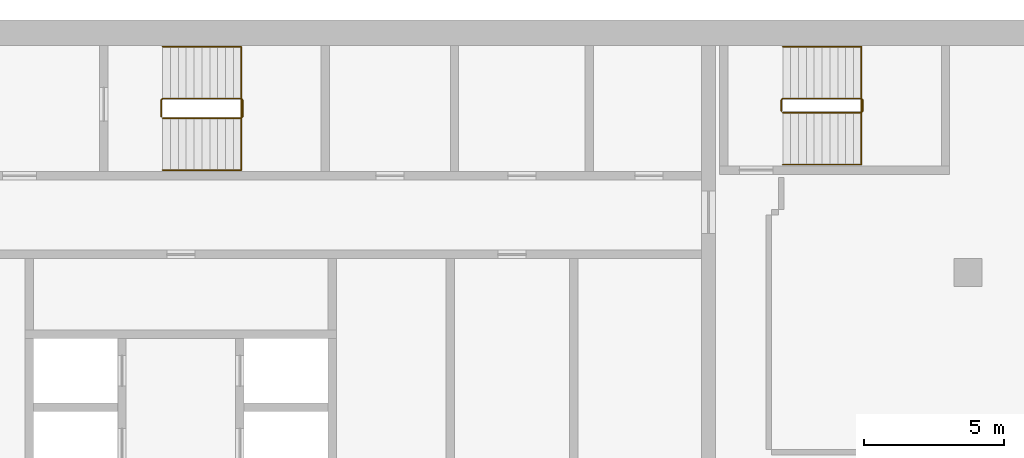
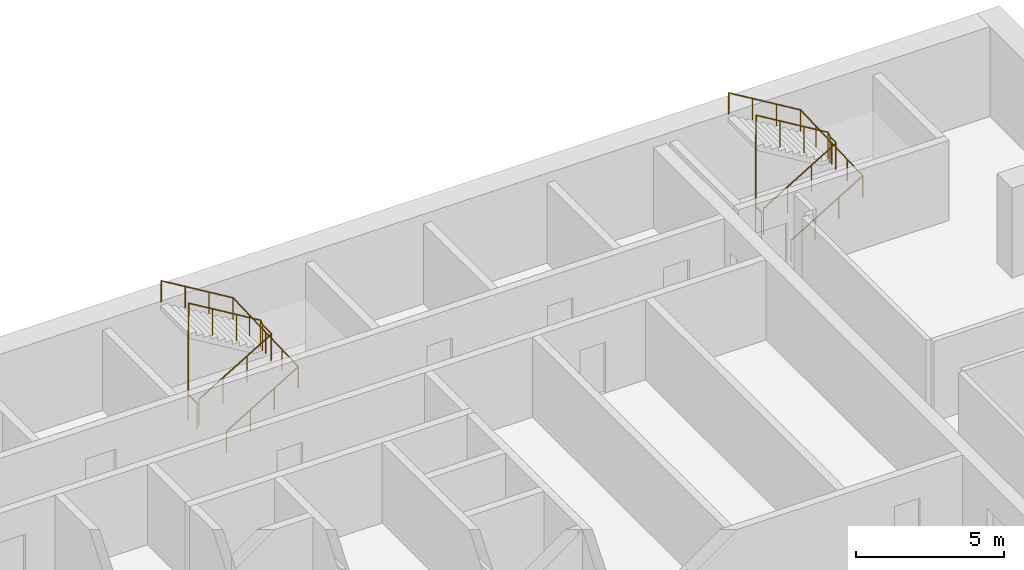
# One storey, part 16 of 16: 4 railings.
"""IFC4 building model written with IfcOpenShell, lengths in metres."""

from ifc_helpers import new_model, si_unit, direction, frame, origin, origin_2d, place, context, subcontext, project, spatial, circle, extrude, material, type_object, element, save


model = new_model("IFC4")

# Units and contexts
model_context = context("Model", 3, precision=1e-05, world=origin(), true_north=direction((0.0, 1.0)))
body_context = subcontext(model_context, "Body", "Model", "MODEL_VIEW")
ifc_project = project(units=[si_unit("LENGTHUNIT", "METRE"), si_unit("AREAUNIT", "SQUARE_METRE"), si_unit("VOLUMEUNIT", "CUBIC_METRE"), si_unit("PLANEANGLEUNIT", "RADIAN"), si_unit("MASSUNIT", "GRAM", prefix="KILO")], contexts=[model_context])

# Site, building, storey
site_placement = place(None, origin())
site = spatial("IfcSite", under=ifc_project, at=site_placement, CompositionType="ELEMENT")
building_placement = place(site_placement, origin())
building = spatial("IfcBuilding", under=site, at=building_placement, Name="Hunhe Ridgeline Campus", CompositionType="ELEMENT")
storey_placement = place(building_placement, frame((0.0, 0.0, 246.60009765625)))
storey = spatial("IfcBuildingStorey", under=building, at=storey_placement, Name="L63", CompositionType="ELEMENT", Elevation=246.60009765625)

# Railings
ifc_material_1 = material(Name="Stainless steel balustrade", Category="steel")
railing_type_1 = type_object("IfcRailingType", Name="Stair guard 1100 stainless", PredefinedType="GUARDRAIL", material=ifc_material_1)
railing_1_placement = place(storey_placement, frame((16.300048828125, 95.5, 0.16796875)))
element("IfcRailing", 1, at=railing_1_placement, inside=storey, type_object=railing_type_1, Name="L63 stair S1 guard", PredefinedType="GUARDRAIL", context=body_context, shape_type="SweptSolid", body=[
    extrude(circle(Radius=0.02392578125, at=origin_2d()), frame((0.0, 0.0, 1.076171875), z_axis=(0.857242210791, 0.0, 0.514913383045), x_axis=(0.0, 1.0, 0.0)), (0.0, 0.0, 1.0), 3.266357421875),
    extrude(circle(Radius=0.02392578125, at=origin_2d()), frame((2.800048828125, 0.0, 2.7578125), z_axis=(0.705375805398, 0.708833529934, 0.0), x_axis=(-0.708833529934, 0.705375805398, 0.0)), (0.0, 0.0, 1.0), 0.070556640625),
    extrude(circle(Radius=0.02392578125, at=origin_2d()), frame((2.849853515625, 0.050048828125, 2.7578125), z_axis=(0.0, 1.0, 0.0), x_axis=(-1.0, 0.0, 0.0)), (0.0, 0.0, 1.0), 0.599853515625),
    extrude(circle(Radius=0.02392578125, at=origin_2d()), frame((2.849853515625, 0.64990234375, 2.7578125), z_axis=(-0.273006030465, 0.27434429532, 0.922064485248), x_axis=(-0.708833529934, -0.705375805398, 0.0)), (0.0, 0.0, 1.0), 0.182373046875),
    extrude(circle(Radius=0.02392578125, at=origin_2d()), frame((2.800048828125, 0.699951171875, 2.92626953125), z_axis=(-0.857242210791, 0.0, 0.514913383045), x_axis=(0.0, -1.0, 0.0)), (0.0, 0.0, 1.0), 3.266357421875),
    extrude(circle(Radius=0.02392578125, at=origin_2d()), frame((0.0, 0.699951171875, 4.60791015625), z_axis=(-0.013524414389, -0.013524414389, -0.999817073484), x_axis=(0.707106781187, -0.707106781187, 0.0)), (0.0, 0.0, 1.0), 3.70068359375),
    extrude(circle(Radius=0.02392578125, at=origin_2d()), frame((-0.050048828125, 0.64990234375, 0.908203125), z_axis=(0.0, -1.0, 0.0), x_axis=(1.0, 0.0, 0.0)), (0.0, 0.0, 1.0), 0.599853515625),
    extrude(circle(Radius=0.02099609375, at=origin_2d()), origin(), (0.0, 0.0, 1.0), 1.052001953125),
    extrude(circle(Radius=0.02099609375, at=origin_2d()), frame((0.933349609375, 0.0, 0.560546875)), (0.0, 0.0, 1.0), 1.052001953125),
    extrude(circle(Radius=0.02099609375, at=origin_2d()), frame((1.86669921875, 0.0, 1.121337890625)), (0.0, 0.0, 1.0), 1.052001953125),
    extrude(circle(Radius=0.02099609375, at=origin_2d()), frame((2.800048828125, 0.0, 1.681884765625)), (0.0, 0.0, 1.0), 1.052001953125),
    extrude(circle(Radius=0.02099609375, at=origin_2d()), frame((2.849853515625, 0.050048828125, 1.681884765625)), (0.0, 0.0, 1.0), 1.052001953125),
    extrude(circle(Radius=0.02099609375, at=origin_2d()), frame((2.849853515625, 0.64990234375, 1.681884765625)), (0.0, 0.0, 1.0), 1.052001953125),
    extrude(circle(Radius=0.02099609375, at=origin_2d()), frame((2.800048828125, 0.699951171875, 1.85009765625)), (0.0, 0.0, 1.0), 1.052001953125),
    extrude(circle(Radius=0.02099609375, at=origin_2d()), frame((1.86669921875, 0.699951171875, 2.41064453125)), (0.0, 0.0, 1.0), 1.052001953125),
    extrude(circle(Radius=0.02099609375, at=origin_2d()), frame((0.933349609375, 0.699951171875, 2.971435546875)), (0.0, 0.0, 1.0), 1.052001953125),
    extrude(circle(Radius=0.02099609375, at=origin_2d()), frame((0.0, 0.699951171875, 3.531982421875)), (0.0, 0.0, 1.0), 1.052001953125),
    extrude(circle(Radius=0.02099609375, at=origin_2d()), frame((-0.012451171875, 0.6875, 2.60693359375)), (0.0, 0.0, 1.0), 1.052001953125),
    extrude(circle(Radius=0.02099609375, at=origin_2d()), frame((-0.02490234375, 0.6748046875, 1.68212890625)), (0.0, 0.0, 1.0), 1.052001953125),
    extrude(circle(Radius=0.02099609375, at=origin_2d()), frame((-0.03759765625, 0.662353515625, 0.757080078125)), (0.0, 0.0, 1.0), 1.052001953125),
    extrude(circle(Radius=0.02099609375, at=origin_2d()), frame((-0.050048828125, 0.64990234375, -0.16796875)), (0.0, 0.0, 1.0), 1.052001953125),
    extrude(circle(Radius=0.02099609375, at=origin_2d()), frame((-0.050048828125, 0.050048828125, -0.16796875)), (0.0, 0.0, 1.0), 1.052001953125),
])
railing_2_placement = place(storey_placement, frame((38.39990234375, 95.699951171875, 0.16796875)))
element("IfcRailing", 2, at=railing_2_placement, inside=storey, type_object=railing_type_1, Name="L63 stair E1 guard", PredefinedType="GUARDRAIL", context=body_context, shape_type="SweptSolid", body=[
    extrude(circle(Radius=0.02392578125, at=origin_2d()), frame((0.0, 0.0, 1.076171875), z_axis=(0.857242210791, 0.0, 0.514913383045), x_axis=(0.0, 1.0, 0.0)), (0.0, 0.0, 1.0), 3.266357421875),
    extrude(circle(Radius=0.02392578125, at=origin_2d()), frame((2.800048828125, 0.0, 2.7578125), z_axis=(0.707106781187, 0.707106781187, 0.0), x_axis=(-0.707106781187, 0.707106781187, 0.0)), (0.0, 0.0, 1.0), 0.07080078125),
    extrude(circle(Radius=0.02392578125, at=origin_2d()), frame((2.85009765625, 0.050048828125, 2.7578125), z_axis=(0.0, 1.0, 0.0), x_axis=(-1.0, 0.0, 0.0)), (0.0, 0.0, 1.0), 0.39990234375),
    extrude(circle(Radius=0.02392578125, at=origin_2d()), frame((2.85009765625, 0.449951171875, 2.7578125), z_axis=(-0.274243871929, 0.274243871929, 0.92172696468), x_axis=(-0.707106781187, -0.707106781187, 0.0)), (0.0, 0.0, 1.0), 0.1826171875),
    extrude(circle(Radius=0.02392578125, at=origin_2d()), frame((2.800048828125, 0.5, 2.92626953125), z_axis=(-0.857242210791, 0.0, 0.514913383045), x_axis=(0.0, -1.0, 0.0)), (0.0, 0.0, 1.0), 3.266357421875),
    extrude(circle(Radius=0.02392578125, at=origin_2d()), frame((0.0, 0.5, 4.60791015625), z_axis=(-0.013458453615, -0.013524426427, -0.999817963389), x_axis=(0.708833529934, -0.705375805398, 0.0)), (0.0, 0.0, 1.0), 3.70068359375),
    extrude(circle(Radius=0.02392578125, at=origin_2d()), frame((-0.0498046875, 0.449951171875, 0.908203125), z_axis=(0.0, -1.0, 0.0), x_axis=(1.0, 0.0, 0.0)), (0.0, 0.0, 1.0), 0.39990234375),
    extrude(circle(Radius=0.02099609375, at=origin_2d()), origin(), (0.0, 0.0, 1.0), 1.052001953125),
    extrude(circle(Radius=0.02099609375, at=origin_2d()), frame((0.933349609375, 0.0, 0.560546875)), (0.0, 0.0, 1.0), 1.052001953125),
    extrude(circle(Radius=0.02099609375, at=origin_2d()), frame((1.86669921875, 0.0, 1.121337890625)), (0.0, 0.0, 1.0), 1.052001953125),
    extrude(circle(Radius=0.02099609375, at=origin_2d()), frame((2.800048828125, 0.0, 1.681884765625)), (0.0, 0.0, 1.0), 1.052001953125),
    extrude(circle(Radius=0.02099609375, at=origin_2d()), frame((2.85009765625, 0.050048828125, 1.681884765625)), (0.0, 0.0, 1.0), 1.052001953125),
    extrude(circle(Radius=0.02099609375, at=origin_2d()), frame((2.85009765625, 0.449951171875, 1.681884765625)), (0.0, 0.0, 1.0), 1.052001953125),
    extrude(circle(Radius=0.02099609375, at=origin_2d()), frame((2.800048828125, 0.5, 1.85009765625)), (0.0, 0.0, 1.0), 1.052001953125),
    extrude(circle(Radius=0.02099609375, at=origin_2d()), frame((1.86669921875, 0.5, 2.41064453125)), (0.0, 0.0, 1.0), 1.052001953125),
    extrude(circle(Radius=0.02099609375, at=origin_2d()), frame((0.933349609375, 0.5, 2.971435546875)), (0.0, 0.0, 1.0), 1.052001953125),
    extrude(circle(Radius=0.02099609375, at=origin_2d()), frame((0.0, 0.5, 3.531982421875)), (0.0, 0.0, 1.0), 1.052001953125),
    extrude(circle(Radius=0.02099609375, at=origin_2d()), frame((-0.012451171875, 0.487548828125, 2.60693359375)), (0.0, 0.0, 1.0), 1.052001953125),
    extrude(circle(Radius=0.02099609375, at=origin_2d()), frame((-0.02490234375, 0.47509765625, 1.68212890625)), (0.0, 0.0, 1.0), 1.052001953125),
    extrude(circle(Radius=0.02099609375, at=origin_2d()), frame((-0.037353515625, 0.46240234375, 0.757080078125)), (0.0, 0.0, 1.0), 1.052001953125),
    extrude(circle(Radius=0.02099609375, at=origin_2d()), frame((-0.0498046875, 0.449951171875, -0.16796875)), (0.0, 0.0, 1.0), 1.052001953125),
    extrude(circle(Radius=0.02099609375, at=origin_2d()), frame((-0.0498046875, 0.050048828125, -0.16796875)), (0.0, 0.0, 1.0), 1.052001953125),
])
ifc_material_2 = material(Name="Stainless steel handrail", Category="steel")
railing_type_2 = type_object("IfcRailingType", Name="Stair handrail 900 stainless", PredefinedType="HANDRAIL", material=ifc_material_2)
railing_3_placement = place(storey_placement, frame((16.300048828125, 93.64990234375, 0.16796875)))
element("IfcRailing", 3, at=railing_3_placement, inside=storey, type_object=railing_type_2, Name="L63 stair S1 handrail", PredefinedType="HANDRAIL", context=body_context, shape_type="SweptSolid", body=[
    extrude(circle(Radius=0.02392578125, at=origin_2d()), frame((0.0, 0.0, 0.8759765625), z_axis=(0.857242210791, 0.0, 0.514913383045), x_axis=(0.0, 1.0, 0.0)), (0.0, 0.0, 1.0), 3.266357421875),
    extrude(circle(Radius=0.02392578125, at=origin_2d()), frame((2.800048828125, 0.0, 2.5576171875), z_axis=(0.0, 0.999270074432, 0.038201025428), x_axis=(-1.0, 0.0, 0.0)), (0.0, 0.0, 1.0), 4.4033203125),
    extrude(circle(Radius=0.02392578125, at=origin_2d()), frame((2.800048828125, 4.400146484375, 2.72607421875), z_axis=(-0.857242210791, 0.0, 0.514913383045), x_axis=(0.0, -1.0, 0.0)), (0.0, 0.0, 1.0), 3.266357421875),
    extrude(circle(Radius=0.02099609375, at=origin_2d()), origin(), (0.0, 0.0, 1.0), 0.851806640625),
    extrude(circle(Radius=0.02099609375, at=origin_2d()), frame((0.933349609375, 0.0, 0.560546875)), (0.0, 0.0, 1.0), 0.851806640625),
    extrude(circle(Radius=0.02099609375, at=origin_2d()), frame((1.86669921875, 0.0, 1.121337890625)), (0.0, 0.0, 1.0), 0.851806640625),
    extrude(circle(Radius=0.02099609375, at=origin_2d()), frame((2.800048828125, 0.0, 1.681884765625)), (0.0, 0.0, 1.0), 0.851806640625),
    extrude(circle(Radius=0.02099609375, at=origin_2d()), frame((2.800048828125, 1.10009765625, 1.723876953125)), (0.0, 0.0, 1.0), 0.851806640625),
    extrude(circle(Radius=0.02099609375, at=origin_2d()), frame((2.800048828125, 2.2001953125, 1.76611328125)), (0.0, 0.0, 1.0), 0.851806640625),
    extrude(circle(Radius=0.02099609375, at=origin_2d()), frame((2.800048828125, 3.300048828125, 1.80810546875)), (0.0, 0.0, 1.0), 0.851806640625),
    extrude(circle(Radius=0.02099609375, at=origin_2d()), frame((2.800048828125, 4.400146484375, 1.85009765625)), (0.0, 0.0, 1.0), 0.851806640625),
    extrude(circle(Radius=0.02099609375, at=origin_2d()), frame((1.86669921875, 4.400146484375, 2.41064453125)), (0.0, 0.0, 1.0), 0.851806640625),
    extrude(circle(Radius=0.02099609375, at=origin_2d()), frame((0.933349609375, 4.400146484375, 2.971435546875)), (0.0, 0.0, 1.0), 0.851806640625),
    extrude(circle(Radius=0.02099609375, at=origin_2d()), frame((0.0, 4.400146484375, 3.531982421875)), (0.0, 0.0, 1.0), 0.851806640625),
])
railing_4_placement = place(storey_placement, frame((38.39990234375, 93.85009765625, 0.16796875)))
element("IfcRailing", 4, at=railing_4_placement, inside=storey, type_object=railing_type_2, Name="L63 stair E1 handrail", PredefinedType="HANDRAIL", context=body_context, shape_type="SweptSolid", body=[
    extrude(circle(Radius=0.02392578125, at=origin_2d()), frame((0.0, 0.0, 0.8759765625), z_axis=(0.857242210791, 0.0, 0.514913383045), x_axis=(0.0, 1.0, 0.0)), (0.0, 0.0, 1.0), 3.266357421875),
    extrude(circle(Radius=0.02392578125, at=origin_2d()), frame((2.800048828125, 0.0, 2.5576171875), z_axis=(0.0, 0.999198916169, 0.040019069537), x_axis=(-1.0, 0.0, 0.0)), (0.0, 0.0, 1.0), 4.203369140625),
    extrude(circle(Radius=0.02392578125, at=origin_2d()), frame((2.800048828125, 4.199951171875, 2.72607421875), z_axis=(-0.857242210791, 0.0, 0.514913383045), x_axis=(0.0, -1.0, 0.0)), (0.0, 0.0, 1.0), 3.266357421875),
    extrude(circle(Radius=0.02099609375, at=origin_2d()), origin(), (0.0, 0.0, 1.0), 0.851806640625),
    extrude(circle(Radius=0.02099609375, at=origin_2d()), frame((0.933349609375, 0.0, 0.560546875)), (0.0, 0.0, 1.0), 0.851806640625),
    extrude(circle(Radius=0.02099609375, at=origin_2d()), frame((1.86669921875, 0.0, 1.121337890625)), (0.0, 0.0, 1.0), 0.851806640625),
    extrude(circle(Radius=0.02099609375, at=origin_2d()), frame((2.800048828125, 0.0, 1.681884765625)), (0.0, 0.0, 1.0), 0.851806640625),
    extrude(circle(Radius=0.02099609375, at=origin_2d()), frame((2.800048828125, 1.050048828125, 1.723876953125)), (0.0, 0.0, 1.0), 0.851806640625),
    extrude(circle(Radius=0.02099609375, at=origin_2d()), frame((2.800048828125, 2.10009765625, 1.76611328125)), (0.0, 0.0, 1.0), 0.851806640625),
    extrude(circle(Radius=0.02099609375, at=origin_2d()), frame((2.800048828125, 3.14990234375, 1.80810546875)), (0.0, 0.0, 1.0), 0.851806640625),
    extrude(circle(Radius=0.02099609375, at=origin_2d()), frame((2.800048828125, 4.199951171875, 1.85009765625)), (0.0, 0.0, 1.0), 0.851806640625),
    extrude(circle(Radius=0.02099609375, at=origin_2d()), frame((1.86669921875, 4.199951171875, 2.41064453125)), (0.0, 0.0, 1.0), 0.851806640625),
    extrude(circle(Radius=0.02099609375, at=origin_2d()), frame((0.933349609375, 4.199951171875, 2.971435546875)), (0.0, 0.0, 1.0), 0.851806640625),
    extrude(circle(Radius=0.02099609375, at=origin_2d()), frame((0.0, 4.199951171875, 3.531982421875)), (0.0, 0.0, 1.0), 0.851806640625),
])

save(model, "model.ifc")
